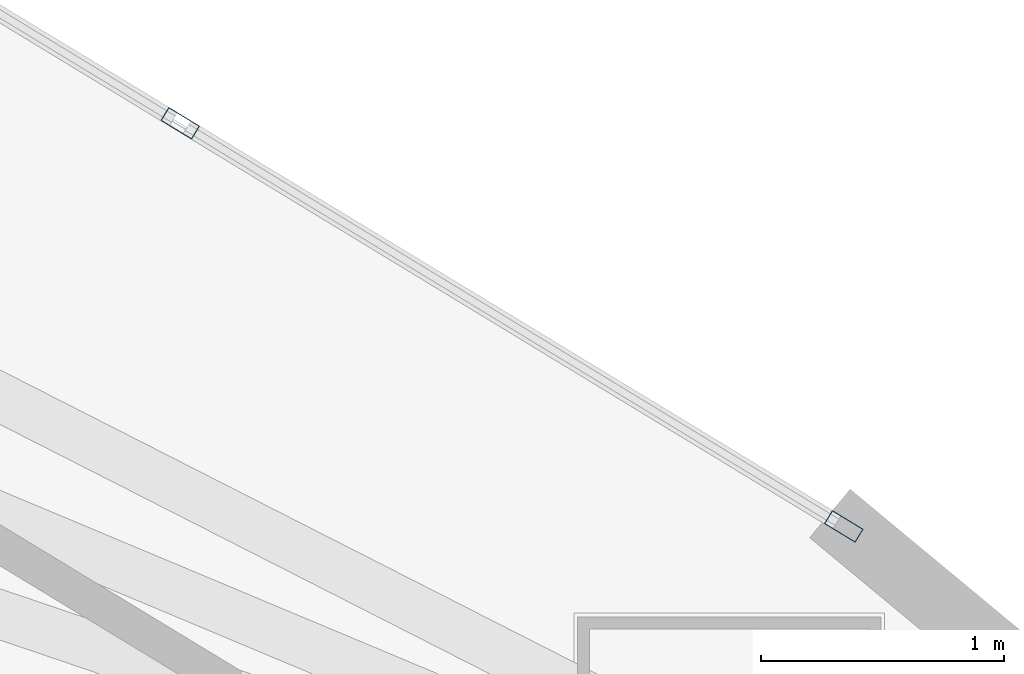
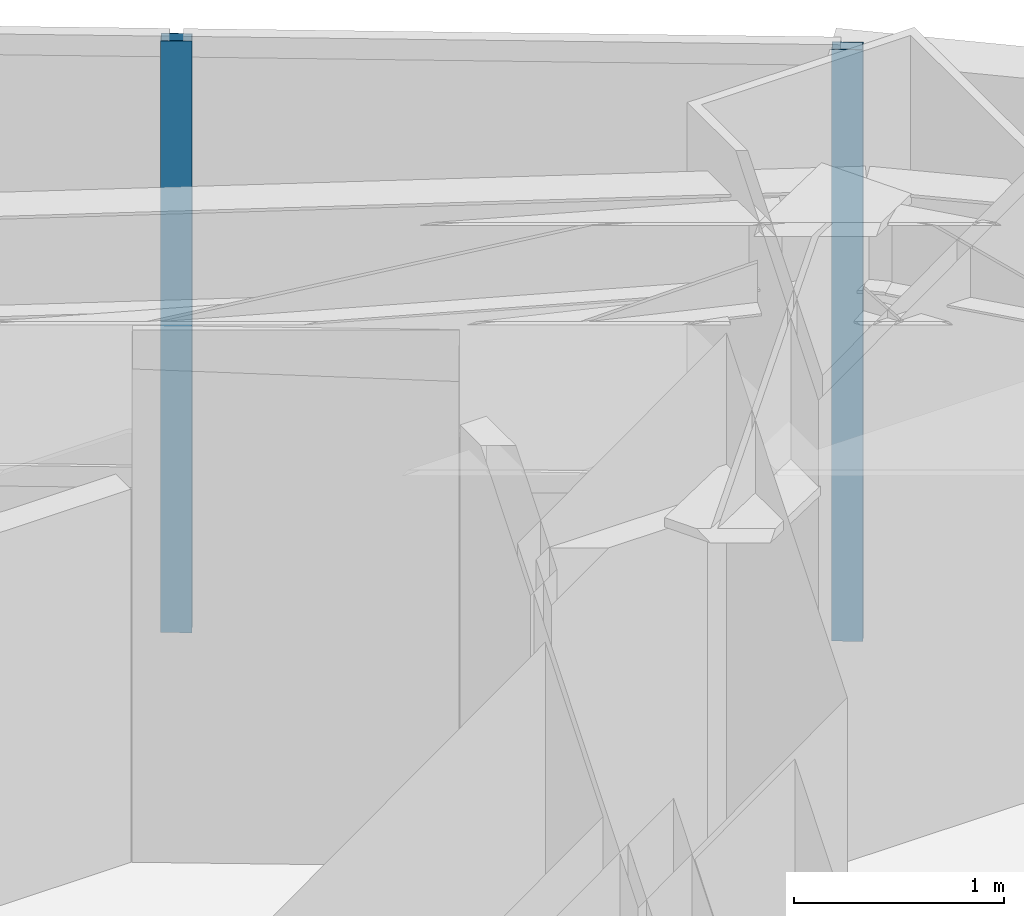
# One storey, part 11 of 17: 2 members, 1 element without a shape of its own.
"""IFC4 building model written with IfcOpenShell, lengths in metres."""

from ifc_helpers import new_model, si_unit, direction, frame, origin, origin_2d, place, context, subcontext, project, spatial, hollow_rectangle, extrude, material, layer, layer_set, material_profile, profile_set, type_object, element, aggregate, save


model = new_model("IFC4")

# Units and contexts
model_context = context("Model", 3, precision=1e-05, world=origin(), true_north=direction((0.0, 1.0)))
body_context = subcontext(model_context, "Body", "Model", "MODEL_VIEW")
ifc_project = project(units=[si_unit("LENGTHUNIT", "METRE"), si_unit("AREAUNIT", "SQUARE_METRE"), si_unit("VOLUMEUNIT", "CUBIC_METRE"), si_unit("PLANEANGLEUNIT", "RADIAN"), si_unit("MASSUNIT", "GRAM", prefix="KILO")], contexts=[model_context])

# Site, building, storey
site_placement = place(None, origin())
site = spatial("IfcSite", under=ifc_project, at=site_placement, CompositionType="ELEMENT")
building_placement = place(site_placement, origin())
building = spatial("IfcBuilding", under=site, at=building_placement, Name="Menara Vayukalpa", CompositionType="ELEMENT")
storey_placement = place(building_placement, frame((0.0, 0.0, 100.260009765625)))
storey = spatial("IfcBuildingStorey", under=building, at=storey_placement, Name="L24", CompositionType="ELEMENT", Elevation=100.260009765625)

# Curtain wall, members
ifc_material_1 = material(Name="Anodised Terracotta Aluminium Alloy 6063-T6", Category="masonry")
ifc_layer = layer(ifc_material_1, 0.14990234375)
ifc_layer_set = layer_set([ifc_layer], Name="Anodised Terracotta Aluminium Alloy 6063-T6")
curtain_wall_type = type_object("IfcCurtainWallType", Name="CW-CW3", PredefinedType="USERDEFINED", material=ifc_layer_set)
curtain_wall_placement = place(storey_placement, origin())
curtain_wall = element("IfcCurtainWall", 1, at=curtain_wall_placement, inside=storey, type_object=curtain_wall_type, Name="L24 Mid Rise Terracotta Ribbon Curtain Wall CW3 04", ObjectType="UNITISED", PredefinedType="USERDEFINED")
ifc_material_2 = material(Name="Anodised Terracotta Aluminium Alloy 6063-T6", Category="masonry")
ifc_material_profile = material_profile(ifc_material_2, hollow_rectangle(XDim=0.06494140625, YDim=0.14990234375, WallThickness=0.00341796875, at=origin_2d()), Name="ALU 65x150x3.5")
ifc_profile_set = profile_set([ifc_material_profile], Name="Anodised Terracotta Aluminium Alloy 6063-T6")
member_type = type_object("IfcMemberType", Name="CWM-CW3", PredefinedType="MULLION", material=ifc_profile_set)
member_1_placement = place(storey_placement, frame((35.358154296875, 28.61865234375, 0.0), z_axis=(0.0, 0.0, 1.0), x_axis=(-0.519182959112, -0.854663123674, 0.0)))
member_1 = element("IfcMember", 2, at=member_1_placement, type_object=member_type, Name="CW3 mullion 1", PredefinedType="MULLION", context=body_context, shape_type="SweptSolid", body=[
    extrude(hollow_rectangle(XDim=0.06494140625, YDim=0.14990234375, WallThickness=0.00341796875, at=origin_2d()), origin(), (0.0, 0.0, 1.0), 3.43994140625),
])
member_2_placement = place(storey_placement, frame((32.6259765625, 30.278564453125, 0.0), z_axis=(0.0, 0.0, 1.0), x_axis=(-0.519182959112, -0.854663123674, 0.0)))
member_2 = element("IfcMember", 3, at=member_2_placement, type_object=member_type, Name="CW3 mullion 2", PredefinedType="MULLION", context=body_context, shape_type="SweptSolid", body=[
    extrude(hollow_rectangle(XDim=0.06494140625, YDim=0.14990234375, WallThickness=0.00341796875, at=origin_2d()), origin(), (0.0, 0.0, 1.0), 3.43994140625),
])
aggregate(curtain_wall, [member_1, member_2])

save(model, "model.ifc")
